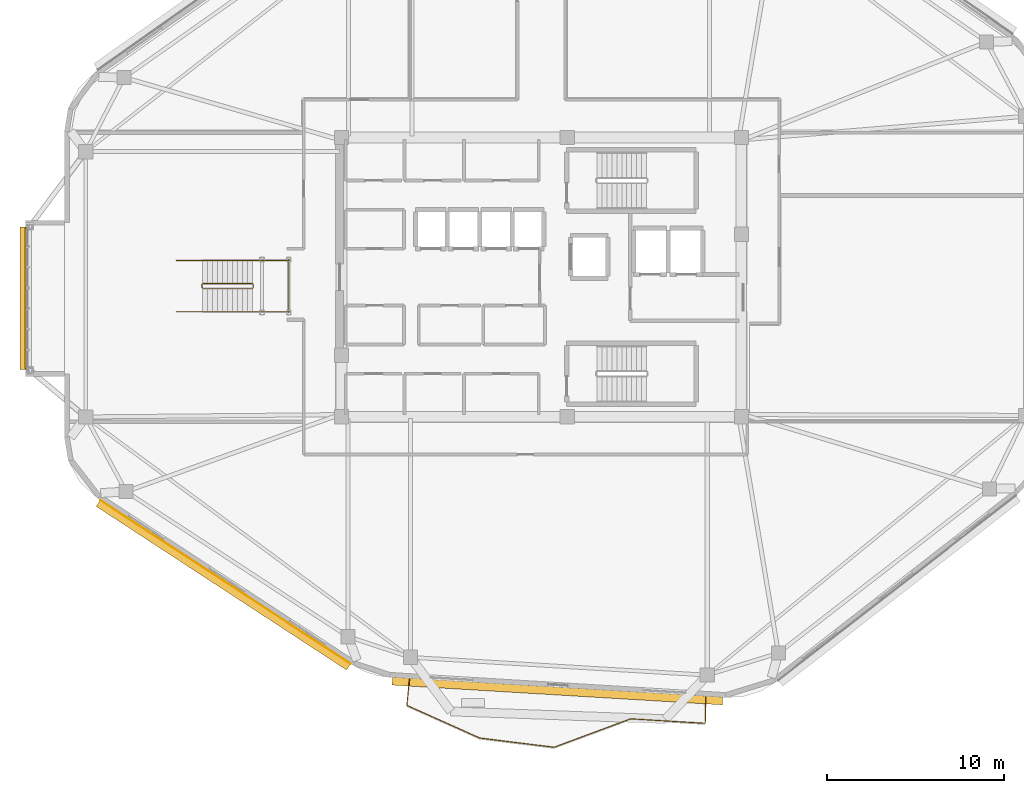
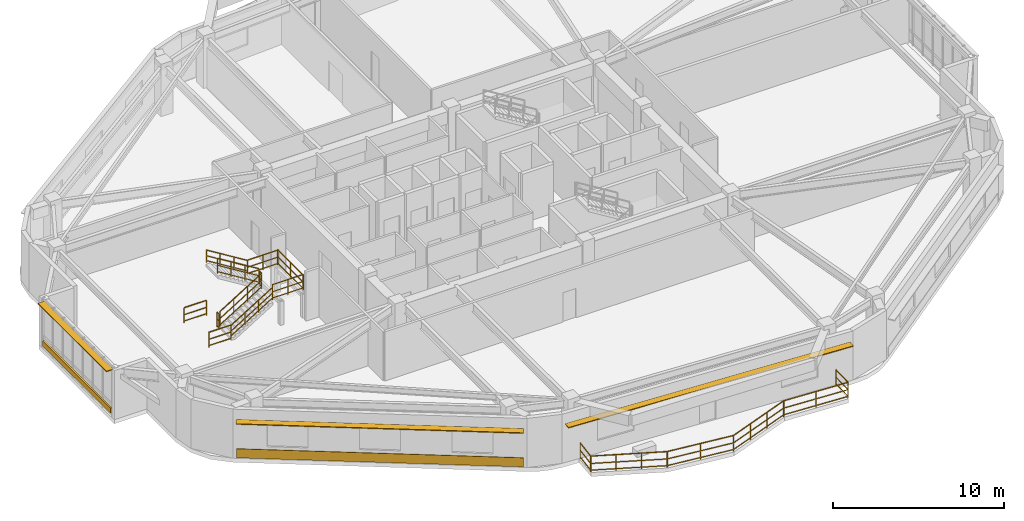
# One storey, part 16 of 18: 17 railings, 4 shading devices, 1 covering.
"""IFC4 building model written with IfcOpenShell, lengths in metres."""

from ifc_helpers import new_model, si_unit, direction, frame, origin, origin_2d, place, context, subcontext, project, spatial, rectangle, extrude, material, layer, layer_set, type_object, element, save


model = new_model("IFC4")

# Units and contexts
model_context = context("Model", 3, precision=1e-05, world=origin(), true_north=direction((0.0, 1.0)))
body_context = subcontext(model_context, "Body", "Model", "MODEL_VIEW")
ifc_project = project(units=[si_unit("LENGTHUNIT", "METRE"), si_unit("AREAUNIT", "SQUARE_METRE"), si_unit("VOLUMEUNIT", "CUBIC_METRE"), si_unit("PLANEANGLEUNIT", "RADIAN"), si_unit("MASSUNIT", "GRAM", prefix="KILO")], contexts=[model_context])

# Site, building, storey
site_placement = place(None, origin())
site = spatial("IfcSite", under=ifc_project, at=site_placement, CompositionType="ELEMENT")
building_placement = place(site_placement, origin())
building = spatial("IfcBuilding", under=site, at=building_placement, Name="Zulverin Broadcast Headquarters", CompositionType="ELEMENT")
storey_placement = place(building_placement, frame((0.0, 0.0, 225.0)))
storey = spatial("IfcBuildingStorey", under=building, at=storey_placement, Name="L57", CompositionType="ELEMENT", Elevation=225.0)

# Covering
ifc_material_1 = material(Name="Brushed pale-aluminium rainscreen cladding", Category="aluminium")
ifc_layer_1 = layer(ifc_material_1, 0.0400390625, Name="Brushed pale-aluminium rainscreen cladding", Category="aluminium")
ifc_layer_set_1 = layer_set([ifc_layer_1], Name="Brushed pale-aluminium rainscreen cladding")
covering_type = type_object("IfcCoveringType", Name="COV-CLAD-PALE", PredefinedType="CLADDING", material=ifc_layer_set_1)
covering_placement = place(storey_placement, frame((19.17578125, 8.00732421875, 0.054931640625), z_axis=(0.0, 0.0, 1.0), x_axis=(0.837115830387, -0.54702567263, 0.0)))
element("IfcCovering", 1, at=covering_placement, inside=storey, type_object=covering_type, Name="L57 Brushed Pale-Aluminium Spandrel Cladding 8", PredefinedType="CLADDING", context=body_context, shape_type="SweptSolid", body=[
    extrude(rectangle(XDim=16.859130859375, YDim=0.0400390625, at=origin_2d()), origin(), (0.0, 0.0, 1.0), 0.64990234375),
])

# Railings
ifc_material_2 = material(Name="Brushed stainless steel & laminated glass balustrade", Category="steel")
railing_type_1 = type_object("IfcRailingType", Name="RL-GUARD-1150", PredefinedType="GUARDRAIL", material=ifc_material_2)
railing_1_placement = place(storey_placement, frame((29.5576171875, 2.525390625, 0.0)))
element("IfcRailing", 2, at=railing_1_placement, inside=storey, type_object=railing_type_1, Name="L57 Vertical-Forest Balcony Guardrail BAL_S Segment 01", PredefinedType="GUARDRAIL", context=body_context, shape_type="SweptSolid", body=[
    extrude(rectangle(XDim=0.048095703125, YDim=0.048095703125, at=origin_2d()), frame((0.0, 0.0, 1.1259765625), z_axis=(-0.100245616419, -0.994962721105, 0.0), x_axis=(0.994962721105, -0.100245616419, 0.0)), (0.0, 0.0, 1.0), 1.466064453125),
    extrude(rectangle(XDim=0.0419921875, YDim=0.0419921875, at=origin_2d()), frame((0.0, 0.0, 0.597900390625), z_axis=(-0.100245616419, -0.994962721105, 0.0), x_axis=(0.994962721105, -0.100245616419, 0.0)), (0.0, 0.0, 1.0), 1.466064453125),
    extrude(rectangle(XDim=0.0419921875, YDim=0.0419921875, at=origin_2d()), frame((0.0, 0.0, 0.1201171875), z_axis=(-0.100245616419, -0.994962721105, 0.0), x_axis=(0.994962721105, -0.100245616419, 0.0)), (0.0, 0.0, 1.0), 1.466064453125),
    extrude(rectangle(XDim=0.0419921875, YDim=0.0419921875, at=origin_2d()), origin(), (0.0, 0.0, 1.0), 1.101806640625),
    extrude(rectangle(XDim=0.0419921875, YDim=0.0419921875, at=origin_2d()), frame((-0.14697265625, -1.458740234375, 0.0)), (0.0, 0.0, 1.0), 1.101806640625),
])
railing_2_placement = place(storey_placement, frame((29.4228515625, 1.045654296875, 0.0)))
element("IfcRailing", 3, at=railing_2_placement, inside=storey, type_object=railing_type_1, Name="L57 Vertical-Forest Balcony Guardrail BAL_S Segment 02", PredefinedType="GUARDRAIL", context=body_context, shape_type="SweptSolid", body=[
    extrude(rectangle(XDim=0.048095703125, YDim=0.048095703125, at=origin_2d()), frame((0.0, 0.0, 1.1259765625), z_axis=(0.912796308073, -0.408415107419, 0.0), x_axis=(0.408415107419, 0.912796308073, 0.0)), (0.0, 0.0, 1.0), 4.474853515625),
    extrude(rectangle(XDim=0.0419921875, YDim=0.0419921875, at=origin_2d()), frame((0.0, 0.0, 0.597900390625), z_axis=(0.912796308073, -0.408415107419, 0.0), x_axis=(0.408415107419, 0.912796308073, 0.0)), (0.0, 0.0, 1.0), 4.474853515625),
    extrude(rectangle(XDim=0.0419921875, YDim=0.0419921875, at=origin_2d()), frame((0.0, 0.0, 0.1201171875), z_axis=(0.912796308073, -0.408415107419, 0.0), x_axis=(0.408415107419, 0.912796308073, 0.0)), (0.0, 0.0, 1.0), 4.474853515625),
    extrude(rectangle(XDim=0.0419921875, YDim=0.0419921875, at=origin_2d()), origin(), (0.0, 0.0, 1.0), 1.101806640625),
    extrude(rectangle(XDim=0.0419921875, YDim=0.0419921875, at=origin_2d()), frame((1.361572265625, -0.609130859375, 0.0)), (0.0, 0.0, 1.0), 1.101806640625),
    extrude(rectangle(XDim=0.0419921875, YDim=0.0419921875, at=origin_2d()), frame((2.72314453125, -1.218505859375, 0.0)), (0.0, 0.0, 1.0), 1.101806640625),
    extrude(rectangle(XDim=0.0419921875, YDim=0.0419921875, at=origin_2d()), frame((4.084716796875, -1.82763671875, 0.0)), (0.0, 0.0, 1.0), 1.101806640625),
])
railing_3_placement = place(storey_placement, frame((33.5361328125, -0.7900390625, 0.0)))
element("IfcRailing", 4, at=railing_3_placement, inside=storey, type_object=railing_type_1, Name="L57 Vertical-Forest Balcony Guardrail BAL_S Segment 03", PredefinedType="GUARDRAIL", context=body_context, shape_type="SweptSolid", body=[
    extrude(rectangle(XDim=0.048095703125, YDim=0.048095703125, at=origin_2d()), frame((0.0, 0.0, 1.1259765625), z_axis=(0.992375201283, -0.123253640429, 0.0), x_axis=(0.123253640429, 0.992375201283, 0.0)), (0.0, 0.0, 1.0), 4.193359375),
    extrude(rectangle(XDim=0.0419921875, YDim=0.0419921875, at=origin_2d()), frame((0.0, 0.0, 0.597900390625), z_axis=(0.992375201283, -0.123253640429, 0.0), x_axis=(0.123253640429, 0.992375201283, 0.0)), (0.0, 0.0, 1.0), 4.193359375),
    extrude(rectangle(XDim=0.0419921875, YDim=0.0419921875, at=origin_2d()), frame((0.0, 0.0, 0.1201171875), z_axis=(0.992375201283, -0.123253640429, 0.0), x_axis=(0.123253640429, 0.992375201283, 0.0)), (0.0, 0.0, 1.0), 4.193359375),
    extrude(rectangle(XDim=0.0419921875, YDim=0.0419921875, at=origin_2d()), origin(), (0.0, 0.0, 1.0), 1.101806640625),
    extrude(rectangle(XDim=0.0419921875, YDim=0.0419921875, at=origin_2d()), frame((2.08056640625, -0.25830078125, 0.0)), (0.0, 0.0, 1.0), 1.101806640625),
    extrude(rectangle(XDim=0.0419921875, YDim=0.0419921875, at=origin_2d()), frame((4.161376953125, -0.516845703125, 0.0)), (0.0, 0.0, 1.0), 1.101806640625),
])
railing_4_placement = place(storey_placement, frame((37.7265625, -1.303466796875, 0.0)))
element("IfcRailing", 5, at=railing_4_placement, inside=storey, type_object=railing_type_1, Name="L57 Vertical-Forest Balcony Guardrail BAL_S Segment 04", PredefinedType="GUARDRAIL", context=body_context, shape_type="SweptSolid", body=[
    extrude(rectangle(XDim=0.048095703125, YDim=0.048095703125, at=origin_2d()), frame((0.0, 0.0, 1.1259765625), z_axis=(0.937520756243, 0.347929348595, 0.0), x_axis=(-0.347929348595, 0.937520756243, 0.0)), (0.0, 0.0, 1.0), 4.576416015625),
    extrude(rectangle(XDim=0.0419921875, YDim=0.0419921875, at=origin_2d()), frame((0.0, 0.0, 0.597900390625), z_axis=(0.937520756243, 0.347929348595, 0.0), x_axis=(-0.347929348595, 0.937520756243, 0.0)), (0.0, 0.0, 1.0), 4.576416015625),
    extrude(rectangle(XDim=0.0419921875, YDim=0.0419921875, at=origin_2d()), frame((0.0, 0.0, 0.1201171875), z_axis=(0.937520756243, 0.347929348595, 0.0), x_axis=(-0.347929348595, 0.937520756243, 0.0)), (0.0, 0.0, 1.0), 4.576416015625),
    extrude(rectangle(XDim=0.0419921875, YDim=0.0419921875, at=origin_2d()), origin(), (0.0, 0.0, 1.0), 1.101806640625),
    extrude(rectangle(XDim=0.0419921875, YDim=0.0419921875, at=origin_2d()), frame((1.43017578125, 0.53076171875, 0.0)), (0.0, 0.0, 1.0), 1.101806640625),
    extrude(rectangle(XDim=0.0419921875, YDim=0.0419921875, at=origin_2d()), frame((2.8603515625, 1.0615234375, 0.0)), (0.0, 0.0, 1.0), 1.101806640625),
    extrude(rectangle(XDim=0.0419921875, YDim=0.0419921875, at=origin_2d()), frame((4.29052734375, 1.59228515625, 0.0)), (0.0, 0.0, 1.0), 1.101806640625),
])
railing_5_placement = place(storey_placement, frame((42.046142578125, 0.29296875, 0.0)))
element("IfcRailing", 6, at=railing_5_placement, inside=storey, type_object=railing_type_1, Name="L57 Vertical-Forest Balcony Guardrail BAL_S Segment 05", PredefinedType="GUARDRAIL", context=body_context, shape_type="SweptSolid", body=[
    extrude(rectangle(XDim=0.048095703125, YDim=0.048095703125, at=origin_2d()), frame((0.0, 0.0, 1.1259765625), z_axis=(0.998203450049, -0.059915543144, 0.0), x_axis=(0.059915543144, 0.998203450049, 0.0)), (0.0, 0.0, 1.0), 4.184814453125),
    extrude(rectangle(XDim=0.0419921875, YDim=0.0419921875, at=origin_2d()), frame((0.0, 0.0, 0.597900390625), z_axis=(0.998203450049, -0.059915543144, 0.0), x_axis=(0.059915543144, 0.998203450049, 0.0)), (0.0, 0.0, 1.0), 4.184814453125),
    extrude(rectangle(XDim=0.0419921875, YDim=0.0419921875, at=origin_2d()), frame((0.0, 0.0, 0.1201171875), z_axis=(0.998203450049, -0.059915543144, 0.0), x_axis=(0.059915543144, 0.998203450049, 0.0)), (0.0, 0.0, 1.0), 4.184814453125),
    extrude(rectangle(XDim=0.0419921875, YDim=0.0419921875, at=origin_2d()), origin(), (0.0, 0.0, 1.0), 1.101806640625),
    extrude(rectangle(XDim=0.0419921875, YDim=0.0419921875, at=origin_2d()), frame((2.088623046875, -0.12548828125, 0.0)), (0.0, 0.0, 1.0), 1.101806640625),
    extrude(rectangle(XDim=0.0419921875, YDim=0.0419921875, at=origin_2d()), frame((4.17724609375, -0.250732421875, 0.0)), (0.0, 0.0, 1.0), 1.101806640625),
])
railing_6_placement = place(storey_placement, frame((46.23876953125, 0.056396484375, 0.0)))
element("IfcRailing", 7, at=railing_6_placement, inside=storey, type_object=railing_type_1, Name="L57 Vertical-Forest Balcony Guardrail BAL_S Segment 06", PredefinedType="GUARDRAIL", context=body_context, shape_type="SweptSolid", body=[
    extrude(rectangle(XDim=0.048095703125, YDim=0.048095703125, at=origin_2d()), frame((0.0, 0.0, 1.1259765625), z_axis=(0.019483309682, 0.999810182307, 0.0), x_axis=(-0.999810182307, 0.019483309682, 0.0)), (0.0, 0.0, 1.0), 1.466064453125),
    extrude(rectangle(XDim=0.0419921875, YDim=0.0419921875, at=origin_2d()), frame((0.0, 0.0, 0.597900390625), z_axis=(0.019483309682, 0.999810182307, 0.0), x_axis=(-0.999810182307, 0.019483309682, 0.0)), (0.0, 0.0, 1.0), 1.466064453125),
    extrude(rectangle(XDim=0.0419921875, YDim=0.0419921875, at=origin_2d()), frame((0.0, 0.0, 0.1201171875), z_axis=(0.019483309682, 0.999810182307, 0.0), x_axis=(-0.999810182307, 0.019483309682, 0.0)), (0.0, 0.0, 1.0), 1.466064453125),
    extrude(rectangle(XDim=0.0419921875, YDim=0.0419921875, at=origin_2d()), origin(), (0.0, 0.0, 1.0), 1.101806640625),
    extrude(rectangle(XDim=0.0419921875, YDim=0.0419921875, at=origin_2d()), frame((0.028564453125, 1.4658203125, 0.0)), (0.0, 0.0, 1.0), 1.101806640625),
])
ifc_material_3 = material(Name="Painted galvanized steel tubular guardrail S355JR", Category="steel")
railing_type_2 = type_object("IfcRailingType", Name="RL-ST-GUARD", PredefinedType="GUARDRAIL", material=ifc_material_3)
railing_7_placement = place(storey_placement, frame((17.89990234375, 24.550048828125, 0.172607421875)))
element("IfcRailing", 8, at=railing_7_placement, inside=storey, type_object=railing_type_2, Name="L57 ST-7 stair guard 1", PredefinedType="GUARDRAIL", context=body_context, shape_type="SweptSolid", body=[
    extrude(rectangle(XDim=0.048095703125, YDim=0.048095703125, at=origin_2d()), frame((0.0, 0.0, 1.076171875), z_axis=(0.851089632645, 0.0, 0.525020415988), x_axis=(0.0, 1.0, 0.0)), (0.0, 0.0, 1.0), 3.2900390625),
    extrude(rectangle(XDim=0.0419921875, YDim=0.0419921875, at=origin_2d()), frame((0.0, 0.0, 0.572021484375), z_axis=(0.851089632645, 0.0, 0.525020415988), x_axis=(0.0, 1.0, 0.0)), (0.0, 0.0, 1.0), 3.2900390625),
    extrude(rectangle(XDim=0.0419921875, YDim=0.0419921875, at=origin_2d()), frame((0.0, 0.0, 0.1201171875), z_axis=(0.851089632645, 0.0, 0.525020415988), x_axis=(0.0, 1.0, 0.0)), (0.0, 0.0, 1.0), 3.2900390625),
    extrude(rectangle(XDim=0.0419921875, YDim=0.0419921875, at=origin_2d()), origin(), (0.0, 0.0, 1.0), 1.052001953125),
    extrude(rectangle(XDim=0.0419921875, YDim=0.0419921875, at=origin_2d()), frame((0.933349609375, 0.0, 0.57568359375)), (0.0, 0.0, 1.0), 1.052001953125),
    extrude(rectangle(XDim=0.0419921875, YDim=0.0419921875, at=origin_2d()), frame((1.86669921875, 0.0, 1.151611328125)), (0.0, 0.0, 1.0), 1.052001953125),
    extrude(rectangle(XDim=0.0419921875, YDim=0.0419921875, at=origin_2d()), frame((2.800048828125, 0.0, 1.727294921875)), (0.0, 0.0, 1.0), 1.052001953125),
])
railing_8_placement = place(storey_placement, frame((20.75, 24.60009765625, 1.89990234375)))
element("IfcRailing", 9, at=railing_8_placement, inside=storey, type_object=railing_type_2, Name="L57 ST-7 stair guard 2", PredefinedType="GUARDRAIL", context=body_context, shape_type="SweptSolid", body=[
    extrude(rectangle(XDim=0.048095703125, YDim=0.048095703125, at=origin_2d()), frame((0.0, 0.0, 1.076171875), z_axis=(0.0, 1.0, 0.0), x_axis=(-1.0, 0.0, 0.0)), (0.0, 0.0, 1.0), 0.199951171875),
    extrude(rectangle(XDim=0.0419921875, YDim=0.0419921875, at=origin_2d()), frame((0.0, 0.0, 0.572021484375), z_axis=(0.0, 1.0, 0.0), x_axis=(-1.0, 0.0, 0.0)), (0.0, 0.0, 1.0), 0.199951171875),
    extrude(rectangle(XDim=0.0419921875, YDim=0.0419921875, at=origin_2d()), frame((0.0, 0.0, 0.1201171875), z_axis=(0.0, 1.0, 0.0), x_axis=(-1.0, 0.0, 0.0)), (0.0, 0.0, 1.0), 0.199951171875),
    extrude(rectangle(XDim=0.0419921875, YDim=0.0419921875, at=origin_2d()), origin(), (0.0, 0.0, 1.0), 1.052001953125),
    extrude(rectangle(XDim=0.0419921875, YDim=0.0419921875, at=origin_2d()), frame((0.0, 0.199951171875, 0.0)), (0.0, 0.0, 1.0), 1.052001953125),
])
for number, where, name in (
    (10, (20.699951171875, 23.25, 1.89990234375), "L57 ST-7 stair guard 3"),
    (11, (20.699951171875, 26.14990234375, 1.89990234375), "L57 ST-7 stair guard 4"),
):
    element("IfcRailing", number, at=place(storey_placement, frame(where)), inside=storey, type_object=railing_type_2, Name=name, PredefinedType="GUARDRAIL", context=body_context, shape_type="SweptSolid", body=[
        extrude(rectangle(XDim=0.048095703125, YDim=0.048095703125, at=origin_2d()), frame((0.0, 0.0, 1.076171875), z_axis=(1.0, 0.0, 0.0), x_axis=(0.0, 1.0, 0.0)), (0.0, 0.0, 1.0), 2.10009765625),
        extrude(rectangle(XDim=0.0419921875, YDim=0.0419921875, at=origin_2d()), frame((0.0, 0.0, 0.572021484375), z_axis=(1.0, 0.0, 0.0), x_axis=(0.0, 1.0, 0.0)), (0.0, 0.0, 1.0), 2.10009765625),
        extrude(rectangle(XDim=0.0419921875, YDim=0.0419921875, at=origin_2d()), frame((0.0, 0.0, 0.1201171875), z_axis=(1.0, 0.0, 0.0), x_axis=(0.0, 1.0, 0.0)), (0.0, 0.0, 1.0), 2.10009765625),
        extrude(rectangle(XDim=0.0419921875, YDim=0.0419921875, at=origin_2d()), origin(), (0.0, 0.0, 1.0), 1.052001953125),
        extrude(rectangle(XDim=0.0419921875, YDim=0.0419921875, at=origin_2d()), frame((1.050048828125, 0.0, 0.0)), (0.0, 0.0, 1.0), 1.052001953125),
        extrude(rectangle(XDim=0.0419921875, YDim=0.0419921875, at=origin_2d()), frame((2.10009765625, 0.0, 0.0)), (0.0, 0.0, 1.0), 1.052001953125),
    ])
railing_9_placement = place(storey_placement, frame((22.75, 23.199951171875, 1.89990234375)))
element("IfcRailing", 12, at=railing_9_placement, inside=storey, type_object=railing_type_2, Name="L57 ST-7 stair guard 5", PredefinedType="GUARDRAIL", context=body_context, shape_type="SweptSolid", body=[
    extrude(rectangle(XDim=0.048095703125, YDim=0.048095703125, at=origin_2d()), frame((0.0, 0.0, 1.076171875), z_axis=(0.0, 1.0, 0.0), x_axis=(-1.0, 0.0, 0.0)), (0.0, 0.0, 1.0), 3.0),
    extrude(rectangle(XDim=0.0419921875, YDim=0.0419921875, at=origin_2d()), frame((0.0, 0.0, 0.572021484375), z_axis=(0.0, 1.0, 0.0), x_axis=(-1.0, 0.0, 0.0)), (0.0, 0.0, 1.0), 3.0),
    extrude(rectangle(XDim=0.0419921875, YDim=0.0419921875, at=origin_2d()), frame((0.0, 0.0, 0.1201171875), z_axis=(0.0, 1.0, 0.0), x_axis=(-1.0, 0.0, 0.0)), (0.0, 0.0, 1.0), 3.0),
    extrude(rectangle(XDim=0.0419921875, YDim=0.0419921875, at=origin_2d()), origin(), (0.0, 0.0, 1.0), 1.052001953125),
    extrude(rectangle(XDim=0.0419921875, YDim=0.0419921875, at=origin_2d()), frame((0.0, 1.5, 0.0)), (0.0, 0.0, 1.0), 1.052001953125),
    extrude(rectangle(XDim=0.0419921875, YDim=0.0419921875, at=origin_2d()), frame((0.0, 3.0, 0.0)), (0.0, 0.0, 1.0), 1.052001953125),
])
railing_10_placement = place(storey_placement, frame((20.699951171875, 24.85009765625, 2.07275390625)))
element("IfcRailing", 13, at=railing_10_placement, inside=storey, type_object=railing_type_2, Name="L57 ST-7 stair guard 6", PredefinedType="GUARDRAIL", context=body_context, shape_type="SweptSolid", body=[
    extrude(rectangle(XDim=0.048095703125, YDim=0.048095703125, at=origin_2d()), frame((0.0, 0.0, 1.076171875), z_axis=(-0.851089632645, 0.0, 0.525020415988), x_axis=(0.0, -1.0, 0.0)), (0.0, 0.0, 1.0), 3.2900390625),
    extrude(rectangle(XDim=0.0419921875, YDim=0.0419921875, at=origin_2d()), frame((0.0, 0.0, 0.572021484375), z_axis=(-0.851089632645, 0.0, 0.525020415988), x_axis=(0.0, -1.0, 0.0)), (0.0, 0.0, 1.0), 3.2900390625),
    extrude(rectangle(XDim=0.0419921875, YDim=0.0419921875, at=origin_2d()), frame((0.0, 0.0, 0.1201171875), z_axis=(-0.851089632645, 0.0, 0.525020415988), x_axis=(0.0, -1.0, 0.0)), (0.0, 0.0, 1.0), 3.2900390625),
    extrude(rectangle(XDim=0.0419921875, YDim=0.0419921875, at=origin_2d()), origin(), (0.0, 0.0, 1.0), 1.052001953125),
    extrude(rectangle(XDim=0.0419921875, YDim=0.0419921875, at=origin_2d()), frame((-0.933349609375, 0.0, 0.57568359375)), (0.0, 0.0, 1.0), 1.052001953125),
    extrude(rectangle(XDim=0.0419921875, YDim=0.0419921875, at=origin_2d()), frame((-1.86669921875, 0.0, 1.151611328125)), (0.0, 0.0, 1.0), 1.052001953125),
    extrude(rectangle(XDim=0.0419921875, YDim=0.0419921875, at=origin_2d()), frame((-2.800048828125, 0.0, 1.727294921875)), (0.0, 0.0, 1.0), 1.052001953125),
])
railing_11_placement = place(storey_placement, frame((17.85009765625, 24.60009765625, 0.0)))
element("IfcRailing", 14, at=railing_11_placement, inside=storey, type_object=railing_type_2, Name="L57 ST-7 stair guard 7", PredefinedType="GUARDRAIL", context=body_context, shape_type="SweptSolid", body=[
    extrude(rectangle(XDim=0.048095703125, YDim=0.048095703125, at=origin_2d()), frame((0.0, 0.0, 1.076171875), z_axis=(0.0, 1.0, 0.0), x_axis=(-1.0, 0.0, 0.0)), (0.0, 0.0, 1.0), 0.199951171875),
    extrude(rectangle(XDim=0.0419921875, YDim=0.0419921875, at=origin_2d()), frame((0.0, 0.0, 0.572021484375), z_axis=(0.0, 1.0, 0.0), x_axis=(-1.0, 0.0, 0.0)), (0.0, 0.0, 1.0), 0.199951171875),
    extrude(rectangle(XDim=0.0419921875, YDim=0.0419921875, at=origin_2d()), frame((0.0, 0.0, 0.1201171875), z_axis=(0.0, 1.0, 0.0), x_axis=(-1.0, 0.0, 0.0)), (0.0, 0.0, 1.0), 0.199951171875),
    extrude(rectangle(XDim=0.0419921875, YDim=0.0419921875, at=origin_2d()), origin(), (0.0, 0.0, 1.0), 1.052001953125),
    extrude(rectangle(XDim=0.0419921875, YDim=0.0419921875, at=origin_2d()), frame((0.0, 0.199951171875, 0.0)), (0.0, 0.0, 1.0), 1.052001953125),
])
for number, where, name in (
    (15, (16.39990234375, 23.25, 0.0), "L57 ST-7 stair guard 8"),
    (16, (16.39990234375, 26.14990234375, 0.0), "L57 ST-7 stair guard 9"),
):
    element("IfcRailing", number, at=place(storey_placement, frame(where)), inside=storey, type_object=railing_type_2, Name=name, PredefinedType="GUARDRAIL", context=body_context, shape_type="SweptSolid", body=[
        extrude(rectangle(XDim=0.048095703125, YDim=0.048095703125, at=origin_2d()), frame((0.0, 0.0, 1.076171875), z_axis=(1.0, 0.0, 0.0), x_axis=(0.0, 1.0, 0.0)), (0.0, 0.0, 1.0), 1.5),
        extrude(rectangle(XDim=0.0419921875, YDim=0.0419921875, at=origin_2d()), frame((0.0, 0.0, 0.572021484375), z_axis=(1.0, 0.0, 0.0), x_axis=(0.0, 1.0, 0.0)), (0.0, 0.0, 1.0), 1.5),
        extrude(rectangle(XDim=0.0419921875, YDim=0.0419921875, at=origin_2d()), frame((0.0, 0.0, 0.1201171875), z_axis=(1.0, 0.0, 0.0), x_axis=(0.0, 1.0, 0.0)), (0.0, 0.0, 1.0), 1.5),
        extrude(rectangle(XDim=0.0419921875, YDim=0.0419921875, at=origin_2d()), origin(), (0.0, 0.0, 1.0), 1.052001953125),
        extrude(rectangle(XDim=0.0419921875, YDim=0.0419921875, at=origin_2d()), frame((1.5, 0.0, 0.0)), (0.0, 0.0, 1.0), 1.052001953125),
    ])
ifc_material_4 = material(Name="Brushed stainless steel 48 mm handrail", Category="steel")
railing_type_3 = type_object("IfcRailingType", Name="RL-ST-HAND", PredefinedType="HANDRAIL", material=ifc_material_4)
railing_12_placement = place(storey_placement, frame((17.89990234375, 23.25, 0.172607421875)))
element("IfcRailing", 17, at=railing_12_placement, inside=storey, type_object=railing_type_3, Name="L57 ST-7 stair handrail 1", PredefinedType="HANDRAIL", context=body_context, shape_type="SweptSolid", body=[
    extrude(rectangle(XDim=0.048095703125, YDim=0.048095703125, at=origin_2d()), frame((0.0, 0.0, 0.8759765625), z_axis=(0.851089632645, 0.0, 0.525020415988), x_axis=(0.0, 1.0, 0.0)), (0.0, 0.0, 1.0), 3.2900390625),
    extrude(rectangle(XDim=0.0419921875, YDim=0.0419921875, at=origin_2d()), frame((0.0, 0.0, 0.468017578125), z_axis=(0.851089632645, 0.0, 0.525020415988), x_axis=(0.0, 1.0, 0.0)), (0.0, 0.0, 1.0), 3.2900390625),
    extrude(rectangle(XDim=0.0419921875, YDim=0.0419921875, at=origin_2d()), frame((0.0, 0.0, 0.1201171875), z_axis=(0.851089632645, 0.0, 0.525020415988), x_axis=(0.0, 1.0, 0.0)), (0.0, 0.0, 1.0), 3.2900390625),
    extrude(rectangle(XDim=0.0419921875, YDim=0.0419921875, at=origin_2d()), origin(), (0.0, 0.0, 1.0), 0.851806640625),
    extrude(rectangle(XDim=0.0419921875, YDim=0.0419921875, at=origin_2d()), frame((0.933349609375, 0.0, 0.57568359375)), (0.0, 0.0, 1.0), 0.851806640625),
    extrude(rectangle(XDim=0.0419921875, YDim=0.0419921875, at=origin_2d()), frame((1.86669921875, 0.0, 1.151611328125)), (0.0, 0.0, 1.0), 0.851806640625),
    extrude(rectangle(XDim=0.0419921875, YDim=0.0419921875, at=origin_2d()), frame((2.800048828125, 0.0, 1.727294921875)), (0.0, 0.0, 1.0), 0.851806640625),
])
railing_13_placement = place(storey_placement, frame((20.699951171875, 26.14990234375, 2.07275390625)))
element("IfcRailing", 18, at=railing_13_placement, inside=storey, type_object=railing_type_3, Name="L57 ST-7 stair handrail 2", PredefinedType="HANDRAIL", context=body_context, shape_type="SweptSolid", body=[
    extrude(rectangle(XDim=0.048095703125, YDim=0.048095703125, at=origin_2d()), frame((0.0, 0.0, 0.8759765625), z_axis=(-0.851089632645, 0.0, 0.525020415988), x_axis=(0.0, -1.0, 0.0)), (0.0, 0.0, 1.0), 3.2900390625),
    extrude(rectangle(XDim=0.0419921875, YDim=0.0419921875, at=origin_2d()), frame((0.0, 0.0, 0.468017578125), z_axis=(-0.851089632645, 0.0, 0.525020415988), x_axis=(0.0, -1.0, 0.0)), (0.0, 0.0, 1.0), 3.2900390625),
    extrude(rectangle(XDim=0.0419921875, YDim=0.0419921875, at=origin_2d()), frame((0.0, 0.0, 0.1201171875), z_axis=(-0.851089632645, 0.0, 0.525020415988), x_axis=(0.0, -1.0, 0.0)), (0.0, 0.0, 1.0), 3.2900390625),
    extrude(rectangle(XDim=0.0419921875, YDim=0.0419921875, at=origin_2d()), origin(), (0.0, 0.0, 1.0), 0.851806640625),
    extrude(rectangle(XDim=0.0419921875, YDim=0.0419921875, at=origin_2d()), frame((-0.933349609375, 0.0, 0.57568359375)), (0.0, 0.0, 1.0), 0.851806640625),
    extrude(rectangle(XDim=0.0419921875, YDim=0.0419921875, at=origin_2d()), frame((-1.86669921875, 0.0, 1.151611328125)), (0.0, 0.0, 1.0), 0.851806640625),
    extrude(rectangle(XDim=0.0419921875, YDim=0.0419921875, at=origin_2d()), frame((-2.800048828125, 0.0, 1.727294921875)), (0.0, 0.0, 1.0), 0.851806640625),
])

# Shading devices
ifc_material_5 = material(Name="Anodized pale-metal aluminium acoustic louvre", Category="aluminium")
shading_device_type_1 = type_object("IfcShadingDeviceType", Name="SHD-LOUVRE-350", PredefinedType="USERDEFINED", material=ifc_material_5)
shading_device_1_placement = place(storey_placement, frame((7.93994140625, 24.010009765625, 0.224853515625), z_axis=(0.0, 0.0, 1.0), x_axis=(0.0, -1.0, 0.0)))
element("IfcShadingDevice", 19, at=shading_device_1_placement, inside=storey, type_object=shading_device_type_1, Name="L57 Pale-Metal Acoustic Louvre Screen CW-L57-SBOX_SKY2_W-F", ObjectType="LOUVRE", PredefinedType="USERDEFINED", context=body_context, shape_type="SweptSolid", body=[
    extrude(rectangle(XDim=7.93994140625, YDim=0.1201171875, at=origin_2d()), origin(), (0.0, 0.0, 1.0), 0.35009765625),
])
ifc_material_6 = material(Name="Anodized pale-metal aluminium sunshade", Category="aluminium")
ifc_layer_2 = layer(ifc_material_6, 0.06005859375, Name="Anodized pale-metal aluminium sunshade", Category="aluminium")
ifc_layer_set_2 = layer_set([ifc_layer_2], Name="Anodized pale-metal aluminium sunshade")
shading_device_type_2 = type_object("IfcShadingDeviceType", Name="SS-01_PALE_METAL_ALUMINIUM_SUNSHADE", PredefinedType="USERDEFINED", material=ifc_layer_set_2)
shading_device_2_placement = place(storey_placement, frame((37.90283203125, 1.864013671875, 2.7099609375), z_axis=(0.0, 0.0, 1.0), x_axis=(0.998202681386, -0.059928347834, 0.0)))
element("IfcShadingDevice", 20, at=shading_device_2_placement, inside=storey, type_object=shading_device_type_2, Name="L57 Horizontal Pale-Metal Sunshade Band 1", ObjectType="SUNSHADE", PredefinedType="USERDEFINED", context=body_context, shape_type="SweptSolid", body=[
    extrude(rectangle(XDim=18.65966796875, YDim=0.449951171875, at=origin_2d()), origin(), (0.0, 0.0, 1.0), 0.06005859375),
])
shading_device_3_placement = place(storey_placement, frame((19.07177734375, 7.848388671875, 2.7099609375), z_axis=(0.0, 0.0, 1.0), x_axis=(0.837115830387, -0.54702567263, 0.0)))
element("IfcShadingDevice", 21, at=shading_device_3_placement, inside=storey, type_object=shading_device_type_2, Name="L57 Horizontal Pale-Metal Sunshade Band 8", ObjectType="SUNSHADE", PredefinedType="USERDEFINED", context=body_context, shape_type="SweptSolid", body=[
    extrude(rectangle(XDim=16.859130859375, YDim=0.449951171875, at=origin_2d()), origin(), (0.0, 0.0, 1.0), 0.06005859375),
])
shading_device_4_placement = place(storey_placement, frame((7.820068359375, 24.010009765625, 3.280029296875), z_axis=(0.0, 0.0, 1.0), x_axis=(0.0, -1.0, 0.0)))
element("IfcShadingDevice", 22, at=shading_device_4_placement, inside=storey, type_object=shading_device_type_2, Name="L57 Pale-Metal Horizontal Sunshade Band CW-L57-SBOX_SKY2_W-F", ObjectType="SUNSHADE", PredefinedType="USERDEFINED", context=body_context, shape_type="SweptSolid", body=[
    extrude(rectangle(XDim=8.02001953125, YDim=0.449951171875, at=origin_2d()), origin(), (0.0, 0.0, 1.0), 0.06005859375),
])

save(model, "model.ifc")
